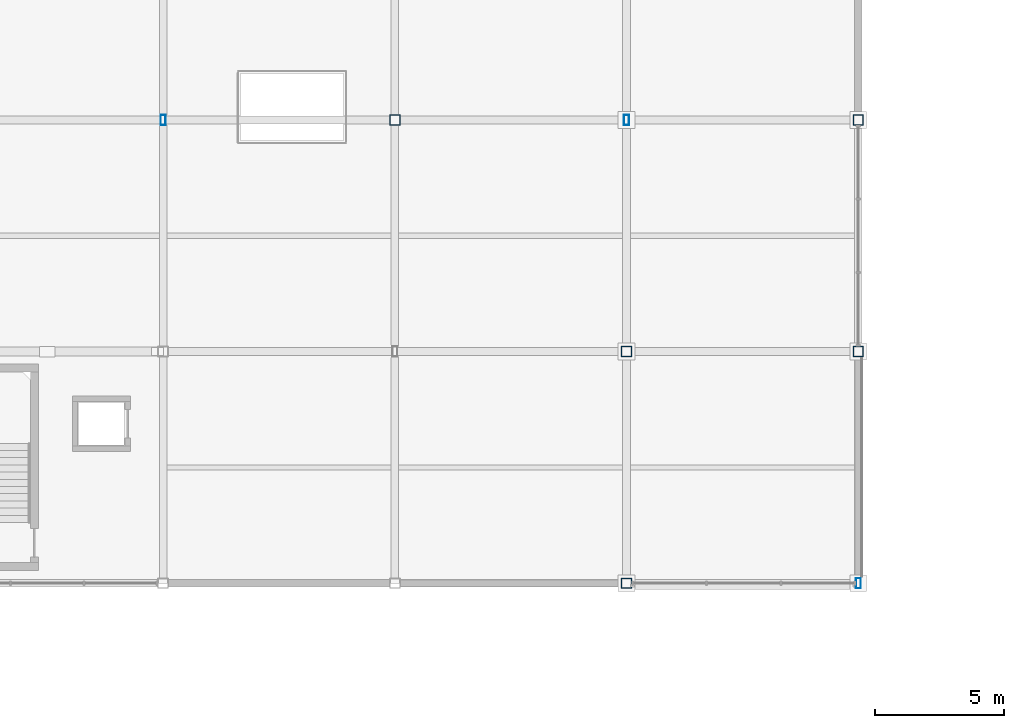
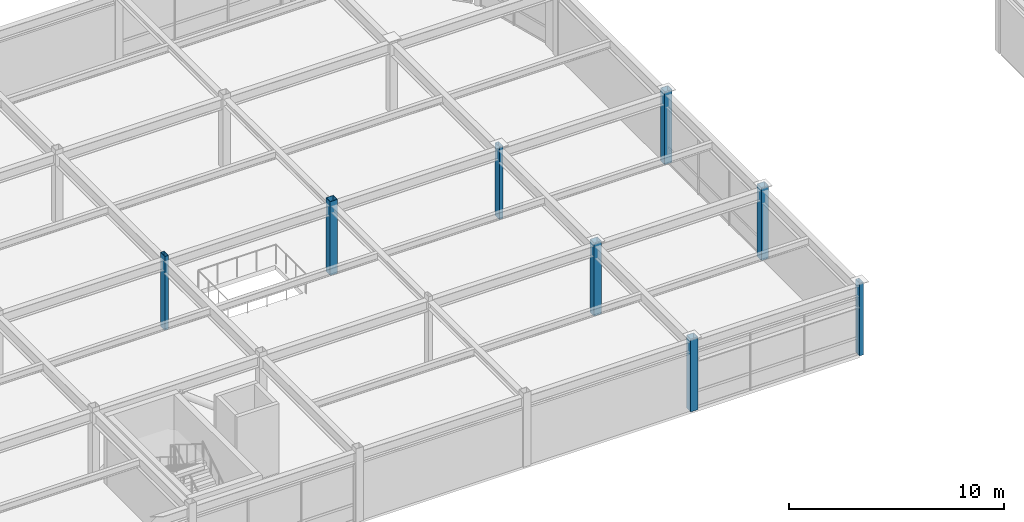
# One storey, part 7 of 70: 8 columns.
"""IFC4 building model written with IfcOpenShell, lengths in metres."""

from ifc_helpers import new_model, si_unit, direction, frame, origin, origin_2d, place, context, subcontext, project, spatial, hollow_rectangle, extrude, material, material_profile, profile_set, type_object, element, save


model = new_model("IFC4")

# Units and contexts
model_context = context("Model", 3, precision=1e-05, world=origin(), true_north=direction((0.0, 1.0)))
body_context = subcontext(model_context, "Body", "Model", "MODEL_VIEW")
ifc_project = project(units=[si_unit("LENGTHUNIT", "METRE"), si_unit("AREAUNIT", "SQUARE_METRE"), si_unit("VOLUMEUNIT", "CUBIC_METRE"), si_unit("PLANEANGLEUNIT", "RADIAN"), si_unit("MASSUNIT", "GRAM", prefix="KILO")], contexts=[model_context])

# Site, building, storey
site_placement = place(None, origin())
site = spatial("IfcSite", under=ifc_project, at=site_placement, CompositionType="ELEMENT")
building_placement = place(site_placement, origin())
building = spatial("IfcBuilding", under=site, at=building_placement, Name="Suzunagisa Mobility Hub", CompositionType="ELEMENT")
storey_placement = place(building_placement, frame((0.0, 0.0, 13.5)))
storey = spatial("IfcBuildingStorey", under=building, at=storey_placement, Name="L03", CompositionType="ELEMENT", Elevation=13.5)

# Columns
ifc_material = material(Name="Steel SN490B", Category="steel")
ifc_material_profile_1 = material_profile(ifc_material, hollow_rectangle(XDim=0.199951171875, YDim=0.39990234375, WallThickness=0.011962890625, at=origin_2d()), Name="RHS-400x200x12")
ifc_profile_set_1 = profile_set([ifc_material_profile_1], Name="Steel SN490B")
column_type_1 = type_object("IfcColumnType", Name="Steel Column CL-03 RHS-400x200x12", PredefinedType="COLUMN", material=ifc_profile_set_1)
column_1_placement = place(storey_placement, frame((99.0, 98.0, 0.0), z_axis=(0.0, 0.0, 1.0), x_axis=(1.0, 0.0, 0.0)))
element("IfcColumn", 1, at=column_1_placement, inside=storey, type_object=column_type_1, Name="L03 Column 197", PredefinedType="COLUMN", context=body_context, shape_type="SweptSolid", body=[
    extrude(hollow_rectangle(XDim=0.199951171875, YDim=0.39990234375, WallThickness=0.011962890625, at=origin_2d()), origin(), (0.0, 0.0, 1.0), 4.199951171875),
])
for number, where, z_axis, x_axis, name in (
    (2, (117.0, 98.0, 0.0), (0.0, 0.0, 1.0), (1.0, 0.0, 0.0), "L03 Column 217"),
    (3, (126.0, 80.0, 0.0), (0.0, 0.0, 1.0), (1.0, 0.0, 0.0), "L03 Column 233"),
):
    element("IfcColumn", number, at=place(storey_placement, frame(where, z_axis=z_axis, x_axis=x_axis)), inside=storey, type_object=column_type_1, Name=name, PredefinedType="COLUMN", context=body_context, shape_type="SweptSolid", body=[
        extrude(hollow_rectangle(XDim=0.199951171875, YDim=0.39990234375, WallThickness=0.011962890625, at=origin_2d()), origin(), (0.0, 0.0, 1.0), 4.139892578125),
    ])
ifc_material_profile_2 = material_profile(ifc_material, hollow_rectangle(XDim=0.39990234375, YDim=0.39990234375, WallThickness=0.01904296875, at=origin_2d()), Name="BCR-400x400x19")
ifc_profile_set_2 = profile_set([ifc_material_profile_2], Name="Steel SN490B")
column_type_2 = type_object("IfcColumnType", Name="Steel Column CL-13 BCR-400x400x19", PredefinedType="COLUMN", material=ifc_profile_set_2)
column_2_placement = place(storey_placement, frame((108.0, 98.0, 0.0), z_axis=(0.0, 0.0, 1.0), x_axis=(1.0, 0.0, 0.0)))
element("IfcColumn", 4, at=column_2_placement, inside=storey, type_object=column_type_2, Name="L03 Column 206", PredefinedType="COLUMN", context=body_context, shape_type="SweptSolid", body=[
    extrude(hollow_rectangle(XDim=0.39990234375, YDim=0.39990234375, WallThickness=0.01904296875, at=origin_2d()), origin(), (0.0, 0.0, 1.0), 4.199951171875),
])
for number, where, z_axis, x_axis, name in (
    (5, (117.0, 80.0, 0.0), (0.0, 0.0, 1.0), (1.0, 0.0, 0.0), "L03 Column 215"),
    (6, (117.0, 89.0, 0.0), (0.0, 0.0, 1.0), (1.0, 0.0, 0.0), "L03 Column 216"),
    (7, (126.0, 89.0, 0.0), (0.0, 0.0, 1.0), (1.0, 0.0, 0.0), "L03 Column 234"),
    (8, (126.0, 98.0, 0.0), (0.0, 0.0, 1.0), (1.0, 0.0, 0.0), "L03 Column 235"),
):
    element("IfcColumn", number, at=place(storey_placement, frame(where, z_axis=z_axis, x_axis=x_axis)), inside=storey, type_object=column_type_2, Name=name, PredefinedType="COLUMN", context=body_context, shape_type="SweptSolid", body=[
        extrude(hollow_rectangle(XDim=0.39990234375, YDim=0.39990234375, WallThickness=0.01904296875, at=origin_2d()), origin(), (0.0, 0.0, 1.0), 4.139892578125),
    ])

save(model, "model.ifc")
